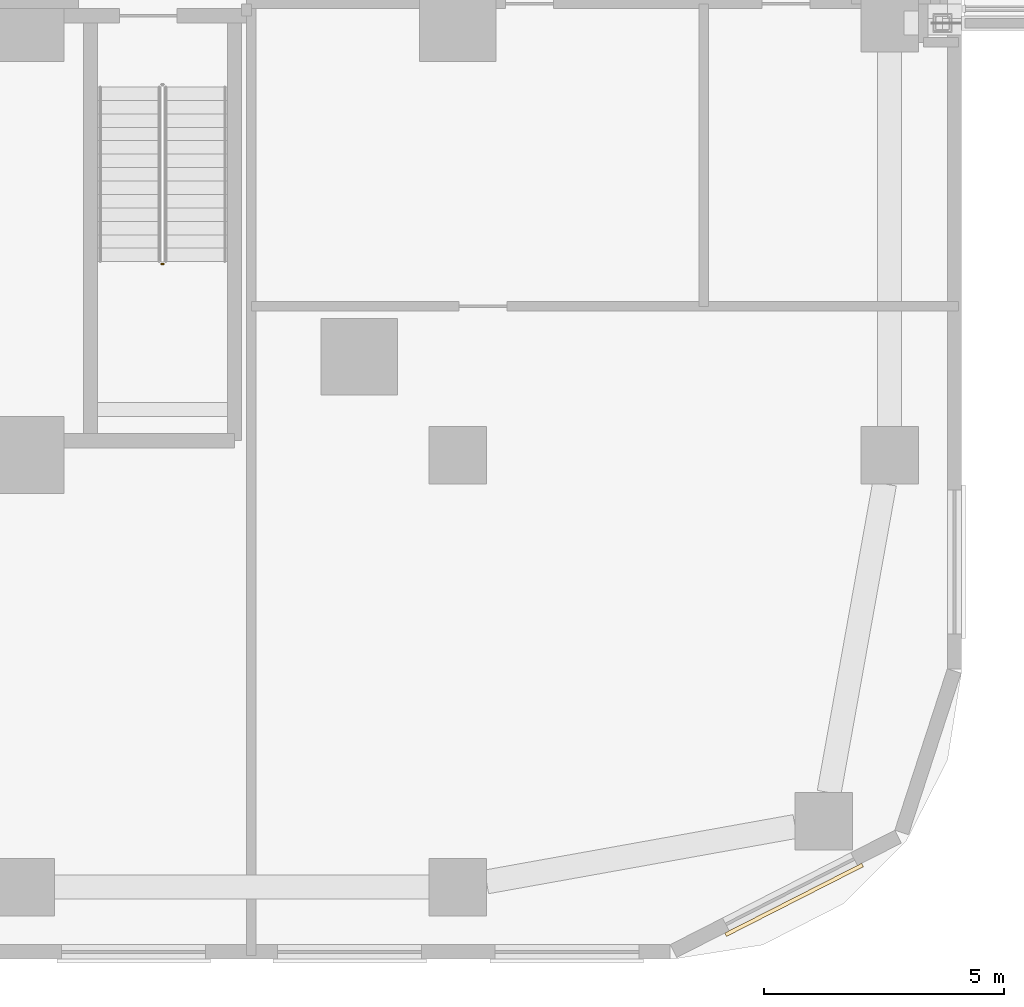
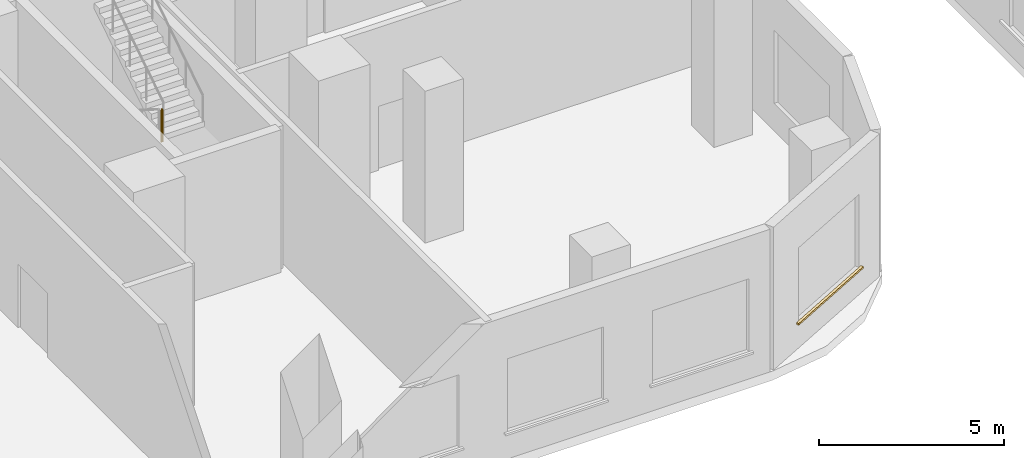
# One storey, part 28 of 33: 1 covering, 1 railing.
"""IFC4 building model written with IfcOpenShell, lengths in metres."""

import ifcopenshell
import ifcopenshell.guid

model = None  # the IFC model being written
_history = None  # IfcOwnerHistory: only IFC2X3 demands one
_inside = {}  # id of a spatial element -> (the spatial element, [elements in it])
_under = {}  # id of a project, library or spatial element -> (it, [spatial elements below it])
_declared = {}  # id of a project -> (the project, [libraries it declares])
_typed = {}  # id of a type object -> (the type object, [elements of that type])
_made_of = {}  # id of a material, layer set ... -> (it, [elements and type objects made of it])


def new_model(schema):
    """Start an empty IFC model of exactly this schema.

    Asked for "IFC4X3", IfcOpenShell would pick the latest addendum, in which some entities
    have other attributes; the version numbers below select the first issue.
    IFC2X3 requires an IfcOwnerHistory on every rooted entity: one is made here for all.
    """
    global model, _history
    if schema == "IFC4X3":
        model = ifcopenshell.file(schema_version=(4, 3, 0, 0))
    else:
        model = ifcopenshell.file(schema=schema)
    _inside.clear()
    _under.clear()
    _declared.clear()
    _typed.clear()
    _made_of.clear()
    _history = None
    if model.schema == "IFC2X3":
        org = make("IfcOrganization", Name="unknown")
        user = make(
            "IfcPersonAndOrganization",
            ThePerson=make("IfcPerson", FamilyName="unknown"),
            TheOrganization=org,
        )
        app = make(
            "IfcApplication",
            ApplicationDeveloper=org,
            Version="unknown",
            ApplicationFullName="unknown",
            ApplicationIdentifier="unknown",
        )
        _history = make(
            "IfcOwnerHistory",
            OwningUser=user,
            OwningApplication=app,
            ChangeAction="ADDED",
            CreationDate=0,
        )
    return model


def make(cls, **values):
    """One entity of the class cls with the attributes given. An attribute that is None is left unset."""
    return model.create_entity(
        cls, **{name: value for name, value in values.items() if value is not None}
    )


def rooted(cls, **values):
    """An entity with a GlobalId (a new one), such as an element, a storey or a relation."""
    return make(cls, GlobalId=ifcopenshell.guid.new(), OwnerHistory=_history, **values)


def si_unit(unit_type, name, prefix=None):
    """IfcSIUnit, for example si_unit("LENGTHUNIT", "METRE", prefix="MILLI")."""
    return make("IfcSIUnit", UnitType=unit_type, Prefix=prefix, Name=name)


def assignment(units):
    """IfcUnitAssignment: the units of a project."""
    return None if units is None else make("IfcUnitAssignment", Units=units)


def point(xyz):
    """IfcCartesianPoint."""
    return None if xyz is None else make("IfcCartesianPoint", Coordinates=xyz)


def direction(xyz):
    """IfcDirection."""
    return None if xyz is None else make("IfcDirection", DirectionRatios=xyz)


def frame(location, z_axis=None, x_axis=None):
    """IfcAxis2Placement3D, a coordinate frame: its origin and axes. An axis left out is left unset."""
    return make(
        "IfcAxis2Placement3D",
        Location=point(location),
        Axis=direction(z_axis),
        RefDirection=direction(x_axis),
    )


def frame_2d(location, x_axis=None):
    """IfcAxis2Placement2D, a coordinate frame in the plane: its origin and x axis."""
    return make(
        "IfcAxis2Placement2D", Location=point(location), RefDirection=direction(x_axis)
    )


def origin():
    """The frame at (0, 0, 0) with its axes left unset."""
    return frame((0.0, 0.0, 0.0))


def origin_2d():
    """The frame at (0, 0) in the plane with its x axis left unset."""
    return frame_2d((0.0, 0.0))


def place(relative_to, where):
    """IfcLocalPlacement: puts the frame where relative to a parent placement (None: the world)."""
    return make(
        "IfcLocalPlacement", PlacementRelTo=relative_to, RelativePlacement=where
    )


def context(
    kind, dimensions, precision=None, world=None, true_north=None, identifier=None
):
    """IfcGeometricRepresentationContext, for example the 3D "Model" context."""
    return make(
        "IfcGeometricRepresentationContext",
        ContextIdentifier=identifier,
        ContextType=kind,
        CoordinateSpaceDimension=dimensions,
        Precision=precision,
        WorldCoordinateSystem=world,
        TrueNorth=true_north,
    )


def subcontext(parent, identifier, kind, view, scale=None):
    """IfcGeometricRepresentationSubContext, for example "Body" below "Model"."""
    return make(
        "IfcGeometricRepresentationSubContext",
        ContextIdentifier=identifier,
        ContextType=kind,
        ParentContext=parent,
        TargetScale=scale,
        TargetView=view,
    )


def project(units=None, contexts=None):
    """IfcProject with its units and contexts."""
    return rooted(
        "IfcProject",
        Name="project",
        RepresentationContexts=contexts,
        UnitsInContext=assignment(units),
    )


def spatial(cls, under=None, at=None, **own):
    """A site, building, storey or space (cls), placed at a placement, below another one or the project."""
    s = rooted(cls, ObjectPlacement=at, **own)
    if under is not None:
        _under.setdefault(under.id(), (under, []))[1].append(s)
    return s


def profile(cls, at=None, kind="AREA", **sizes):
    """A parametric profile (cls). Its sizes go by their IFC names, for example OverallWidth=200.0."""
    return make(cls, ProfileType=kind, Position=at, **sizes)


def rectangle(**sizes):
    """IfcRectangleProfileDef."""
    return profile("IfcRectangleProfileDef", **sizes)


def circle(**sizes):
    """IfcCircleProfileDef."""
    return profile("IfcCircleProfileDef", **sizes)


def extrude(swept, where, along, depth):
    """IfcExtrudedAreaSolid: the profile swept, set in the frame where, extruded along a direction by depth."""
    return make(
        "IfcExtrudedAreaSolid",
        SweptArea=swept,
        Position=where,
        ExtrudedDirection=direction(along),
        Depth=depth,
    )


def shape(context_of_items, identifier, shape_type, items):
    """IfcShapeRepresentation: the items that make up one representation, for example the "Body"."""
    return make(
        "IfcShapeRepresentation",
        ContextOfItems=context_of_items,
        RepresentationIdentifier=identifier,
        RepresentationType=shape_type,
        Items=items,
    )


def material(Name=None, Category=None):
    """IfcMaterial."""
    return make("IfcMaterial", Name=Name, Category=Category)


def layer(
    of_material, thickness, ventilated=None, Name=None, Category=None, Priority=None
):
    """IfcMaterialLayer: one layer of a wall or slab, of a material (None: an air gap)."""
    return make(
        "IfcMaterialLayer",
        Material=of_material,
        LayerThickness=thickness,
        IsVentilated=ventilated,
        Name=Name,
        Category=Category,
        Priority=Priority,
    )


def layer_set(layers, Name=None):
    """IfcMaterialLayerSet."""
    return make("IfcMaterialLayerSet", MaterialLayers=layers, LayerSetName=Name)


def made_of(thing, what):
    """Note that an element or type object is made of a material, layer set ...; save() writes the relation."""
    if what is not None:
        _made_of.setdefault(what.id(), (what, []))[1].append(thing)
    return thing


def type_object(cls, material=None, **own):
    """A type object (cls), such as IfcWallType, which elements share."""
    return made_of(rooted(cls, **own), material)


def element(
    cls,
    number,
    at=None,
    inside=None,
    cuts=None,
    type_object=None,
    material=None,
    context=None,
    identifier="Body",
    shape_type=None,
    held_by="IfcProductDefinitionShape",
    body=None,
    shapes=None,
    **own,
):
    """One element of the class cls, such as IfcWall. Its Tag is "e" and its number.

    at: its placement. inside: the storey or other place that contains it. cuts: it is an
    opening in that element (IfcRelVoidsElement). A single representation is given by context,
    identifier, shape_type and body (its items); several are given by shapes. held_by: the class
    of the entity that holds the representations. save() writes the other relations.
    """
    e = rooted(cls, Tag="e%d" % number, ObjectPlacement=at, **own)
    if body is not None:
        shapes = [shape(context, identifier, shape_type, body)]
    if shapes is not None:
        e.Representation = make(held_by, Representations=shapes)
    if inside is not None:
        _inside.setdefault(inside.id(), (inside, []))[1].append(e)
    if cuts is not None:
        rooted(
            "IfcRelVoidsElement", RelatingBuildingElement=cuts, RelatedOpeningElement=e
        )
    if type_object is not None:
        _typed.setdefault(type_object.id(), (type_object, []))[1].append(e)
    return made_of(e, material)


def aggregate(whole, parts):
    """IfcRelAggregates: a whole, such as a stair, and the parts it consists of."""
    return rooted("IfcRelAggregates", RelatingObject=whole, RelatedObjects=parts)


def save(model, path):
    """Write the relations noted so far, then the file.

    IfcRelAggregates (storeys below a building ...), IfcRelContainedInSpatialStructure (elements
    in a storey), IfcRelDefinesByType, IfcRelAssociatesMaterial and IfcRelDeclares: one each for
    every whole, place, type object, material and project.
    """
    for whole, parts in _under.values():
        aggregate(whole, parts)
    for where, things in _inside.values():
        rooted(
            "IfcRelContainedInSpatialStructure",
            RelatedElements=things,
            RelatingStructure=where,
        )
    for kind, things in _typed.values():
        rooted("IfcRelDefinesByType", RelatedObjects=things, RelatingType=kind)
    for what, things in _made_of.values():
        rooted("IfcRelAssociatesMaterial", RelatedObjects=things, RelatingMaterial=what)
    for by, libraries in _declared.values():
        rooted("IfcRelDeclares", RelatingContext=by, RelatedDefinitions=libraries)
    model.write(path)


model = new_model("IFC4")

# Units and contexts
model_context = context("Model", 3, precision=1e-05, world=origin(), true_north=direction((0.0, 1.0)))
body_context = subcontext(model_context, "Body", "Model", "MODEL_VIEW")
ifc_project = project(units=[si_unit("LENGTHUNIT", "METRE"), si_unit("AREAUNIT", "SQUARE_METRE"), si_unit("VOLUMEUNIT", "CUBIC_METRE"), si_unit("PLANEANGLEUNIT", "RADIAN"), si_unit("MASSUNIT", "GRAM", prefix="KILO")], contexts=[model_context])

# Site, building, storey
site_placement = place(None, origin())
site = spatial("IfcSite", under=ifc_project, at=site_placement, CompositionType="ELEMENT")
building_placement = place(site_placement, origin())
building = spatial("IfcBuilding", under=site, at=building_placement, Name="Ogive Portal Towers", CompositionType="ELEMENT")
storey_placement = place(building_placement, frame((0.0, 0.0, 28.5)))
storey = spatial("IfcBuildingStorey", under=building, at=storey_placement, Name="L05", CompositionType="ELEMENT", Elevation=28.5)

# Railing
ifc_material_1 = material(Name="Stainless steel balustrade", Category="steel")
railing_type = type_object("IfcRailingType", Name="INT-GUARD", PredefinedType="GUARDRAIL", material=ifc_material_1)
railing_placement = place(storey_placement, frame((88.330078125, 25.47998046875, 2.5)))
element("IfcRailing", 1, at=railing_placement, inside=storey, type_object=railing_type, Name="L05 ST-A4 stair guard 2", PredefinedType="GUARDRAIL", context=body_context, shape_type="SweptSolid", body=[
    extrude(circle(Radius=0.02392578125, at=origin_2d()), frame((0.0, 0.0, 1.076171875), z_axis=(1.0, 0.0, 0.0), x_axis=(0.0, 1.0, 0.0)), (0.0, 0.0, 1.0), 0.0400390625),
    extrude(circle(Radius=0.02099609375, at=origin_2d()), origin(), (0.0, 0.0, 1.0), 1.052001953125),
    extrude(circle(Radius=0.02099609375, at=origin_2d()), frame((0.0400390625, 0.0, 0.0)), (0.0, 0.0, 1.0), 1.052001953125),
])

# Covering
ifc_material_2 = material(Name="Limestone cladding on lightweight block wall", Category="masonry")
ifc_layer = layer(ifc_material_2, 0.080078125)
ifc_layer_set = layer_set([ifc_layer], Name="STONE SILL 80")
covering_type = type_object("IfcCoveringType", Name="STONE SILL 80", PredefinedType="CLADDING", material=ifc_layer_set)
covering_placement = place(storey_placement, frame((101.50927734375, 12.233642578125, 0.840087890625), z_axis=(0.0, 0.0, 1.0), x_axis=(0.891006524188, 0.45399049974, 0.0)))
element("IfcCovering", 2, at=covering_placement, inside=storey, type_object=covering_type, Name="Stone sill", PredefinedType="CLADDING", context=body_context, shape_type="SweptSolid", body=[
    extrude(rectangle(XDim=3.199951171875, YDim=0.080078125, at=origin_2d()), origin(), (0.0, 0.0, 1.0), 0.06005859375),
])

save(model, "model.ifc")
